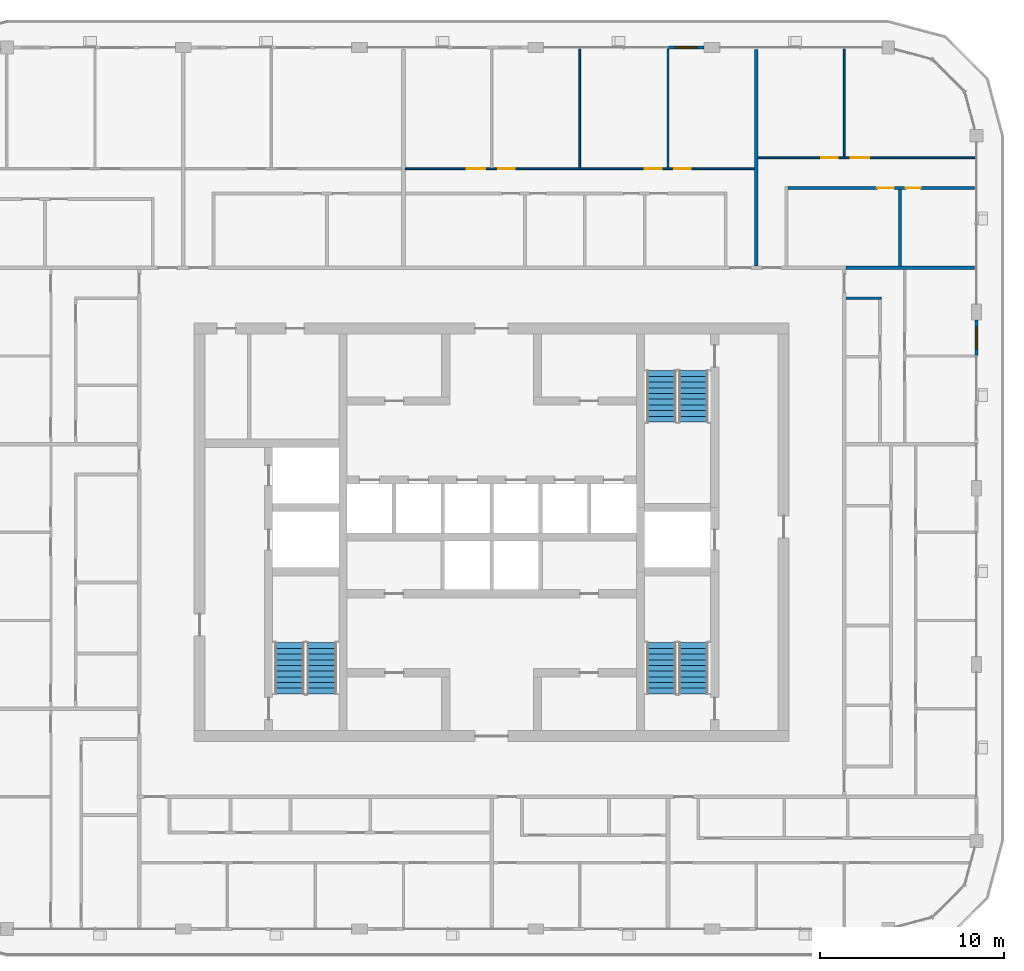
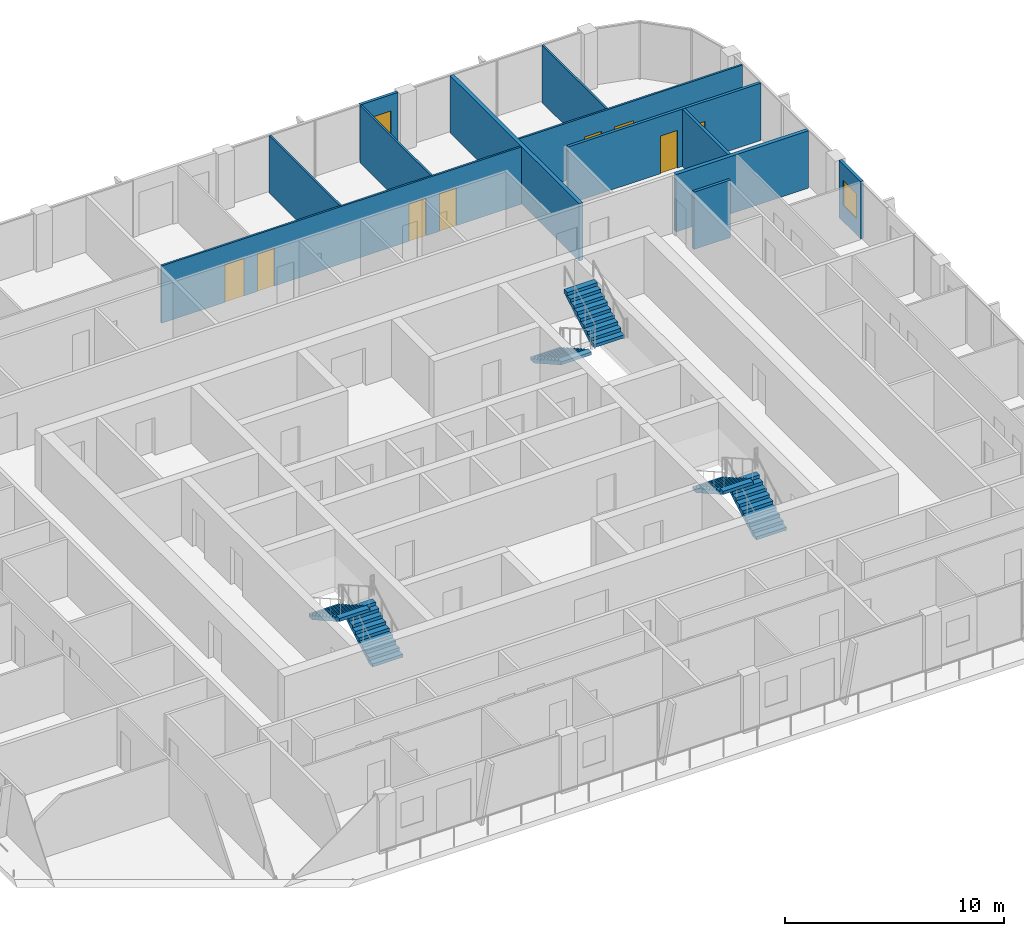
# One storey, part 15 of 21: 12 walls, 8 doors, 6 stair flights, 2 windows, 10 openings, 3 elements without a shape of their own.
"""IFC4 building model written with IfcOpenShell, lengths in metres."""

from ifc_helpers import new_model, si_unit, direction, frame, frame_2d, origin, place, context, subcontext, project, spatial, polyline, rectangle, outline, extrude, material, layer, layer_set, type_object, element, fill, aggregate, save


model = new_model("IFC4")

# Units and contexts
model_context = context("Model", 3, precision=1e-05, world=origin(), true_north=direction((0.0, 1.0)))
body_context = subcontext(model_context, "Body", "Model", "MODEL_VIEW")
ifc_project = project(units=[si_unit("LENGTHUNIT", "METRE"), si_unit("AREAUNIT", "SQUARE_METRE"), si_unit("VOLUMEUNIT", "CUBIC_METRE"), si_unit("PLANEANGLEUNIT", "RADIAN"), si_unit("MASSUNIT", "GRAM", prefix="KILO")], contexts=[model_context])

# Site, building, storey
site_placement = place(None, origin())
site = spatial("IfcSite", under=ifc_project, at=site_placement, CompositionType="ELEMENT")
building_placement = place(site_placement, origin())
building = spatial("IfcBuilding", under=site, at=building_placement, Name="Madar Terraces", CompositionType="ELEMENT")
storey_placement = place(building_placement, frame((0.0, 0.0, 242.199951171875)))
storey = spatial("IfcBuildingStorey", under=building, at=storey_placement, Name="L63", CompositionType="ELEMENT", Elevation=242.199951171875)

# Wall, opening, window
ifc_material_1 = material(Name="Aluminium composite panel, black, over insulated backing", Category="aluminium")
ifc_layer_1 = layer(ifc_material_1, 0.14990234375)
ifc_layer_set_1 = layer_set([ifc_layer_1], Name="Facade bay panel 150")
wall_type_1 = type_object("IfcWallType", Name="Facade bay panel 150", PredefinedType="SOLIDWALL", material=ifc_layer_set_1)
wall_1_placement = place(storey_placement, frame((57.60009765625, 36.0, 0.0), z_axis=(0.0, 0.0, 1.0), x_axis=(0.0, 1.0, 0.0)))
wall_1 = element("IfcWall", 1, at=wall_1_placement, inside=storey, type_object=wall_type_1, Name="Facade bay panel", PredefinedType="SOLIDWALL", context=body_context, shape_type="SweptSolid", body=[
    extrude(rectangle(XDim=1.97509765625, YDim=0.14990234375, at=frame_2d((0.987548828125, 0.0))), origin(), (0.0, 0.0, 1.0), 3.199951171875),
])
opening_1_placement = place(wall_1_placement, frame((0.387451171875, 0.0, 0.89990234375)))
opening_1 = element("IfcOpeningElement", 2, at=opening_1_placement, cuts=wall_1, Name="Opening W1", PredefinedType="OPENING", context=body_context, shape_type="SweptSolid", body=[
    extrude(rectangle(XDim=1.199951171875, YDim=1.39990234375, at=frame_2d((0.60009765625, 0.699951171875))), frame((0.0, 0.0849609375, 0.0), z_axis=(0.0, -1.0, 0.0), x_axis=(1.0, 0.0, 0.0)), (0.0, 0.0, 1.0), 0.169921875),
])
ifc_material_2 = material(Name="Glass, clear, with black aluminium frame", Category="aluminium")
window_type = type_object("IfcWindowType", Name="Vent window 1200 x 1400", PartitioningType="SINGLE_PANEL", PredefinedType="WINDOW", material=ifc_material_2)
window_1_placement = place(opening_1_placement, origin())
window_1 = element("IfcWindow", 3, at=window_1_placement, inside=storey, type_object=window_type, Name="Operable vent window", OverallHeight=1.39990234375, OverallWidth=1.199951171875, PartitioningType="SINGLE_PANEL", PredefinedType="WINDOW", context=body_context, shape_type="SweptSolid", body=[
    extrude(rectangle(XDim=1.199951171875, YDim=1.39990234375, at=frame_2d((0.60009765625, 0.699951171875))), frame((0.0, 0.030029296875, 0.0), z_axis=(0.0, -1.0, 0.0), x_axis=(1.0, 0.0, 0.0)), (0.0, 0.0, 1.0), 0.06005859375),
])
fill(opening_1, window_1)

wall_2_placement = place(storey_placement, frame((42.77490234375, 52.800048828125, 0.0), z_axis=(0.0, 0.0, 1.0), x_axis=(-1.0, 0.0, 0.0)))
wall_2 = element("IfcWall", 4, at=wall_2_placement, inside=storey, type_object=wall_type_1, Name="Facade bay panel", PredefinedType="SOLIDWALL", context=body_context, shape_type="SweptSolid", body=[
    extrude(rectangle(XDim=1.974853515625, YDim=0.14990234375, at=frame_2d((0.9873046875, 0.0))), origin(), (0.0, 0.0, 1.0), 3.199951171875),
])
opening_2_placement = place(wall_2_placement, frame((0.387451171875, 0.0, 0.89990234375)))
opening_2 = element("IfcOpeningElement", 5, at=opening_2_placement, cuts=wall_2, Name="Opening W1", PredefinedType="OPENING", context=body_context, shape_type="SweptSolid", body=[
    extrude(rectangle(XDim=1.199951171875, YDim=1.39990234375, at=frame_2d((0.60009765625, 0.699951171875))), frame((0.0, 0.0849609375, 0.0), z_axis=(0.0, -1.0, 0.0), x_axis=(1.0, 0.0, 0.0)), (0.0, 0.0, 1.0), 0.169921875),
])
window_2_placement = place(opening_2_placement, origin())
window_2 = element("IfcWindow", 6, at=window_2_placement, inside=storey, type_object=window_type, Name="Operable vent window", OverallHeight=1.39990234375, OverallWidth=1.199951171875, PartitioningType="SINGLE_PANEL", PredefinedType="WINDOW", context=body_context, shape_type="SweptSolid", body=[
    extrude(rectangle(XDim=1.199951171875, YDim=1.39990234375, at=frame_2d((0.60009765625, 0.699951171875))), frame((0.0, 0.030029296875, 0.0), z_axis=(0.0, -1.0, 0.0), x_axis=(1.0, 0.0, 0.0)), (0.0, 0.0, 1.0), 0.06005859375),
])
fill(opening_2, window_2)

# Wall
ifc_material_3 = material(Name="Gypsum board on steel studs", Category="steel")
ifc_layer_2 = layer(ifc_material_3, 0.10009765625)
ifc_layer_set_2 = layer_set([ifc_layer_2], Name="Flat partition 100")
wall_type_2 = type_object("IfcWallType", Name="Flat partition 100", PredefinedType="PARTITIONING", material=ifc_layer_set_2)
wall_3_placement = place(storey_placement, frame((50.39990234375, 46.85009765625, 0.0), z_axis=(0.0, 0.0, 1.0), x_axis=(0.0, 1.0, 0.0)))
element("IfcWall", 7, at=wall_3_placement, inside=storey, type_object=wall_type_2, Name="Flat partition 100", PredefinedType="PARTITIONING", context=body_context, shape_type="SweptSolid", body=[
    extrude(rectangle(XDim=5.849853515625, YDim=0.10009765625, at=frame_2d((2.9248046875, 0.0))), origin(), (0.0, 0.0, 1.0), 3.199951171875),
])

# Wall, openings, doors
wall_4_placement = place(storey_placement, frame((45.699951171875, 46.800048828125, 0.0), z_axis=(0.0, 0.0, 1.0), x_axis=(1.0, 0.0, 0.0)))
wall_4 = element("IfcWall", 8, at=wall_4_placement, inside=storey, type_object=wall_type_2, Name="Flat partition 100", PredefinedType="PARTITIONING", context=body_context, shape_type="SweptSolid", body=[
    extrude(rectangle(XDim=11.800048828125, YDim=0.10009765625, at=frame_2d((5.89990234375, 0.0))), origin(), (0.0, 0.0, 1.0), 3.199951171875),
])
opening_3_placement = place(wall_4_placement, frame((3.449951171875, 0.0, 0.0)))
opening_3 = element("IfcOpeningElement", 9, at=opening_3_placement, cuts=wall_4, Name="Opening D2", PredefinedType="OPENING", context=body_context, shape_type="SweptSolid", body=[
    extrude(rectangle(XDim=0.89990234375, YDim=2.10009765625, at=frame_2d((0.449951171875, 1.050048828125))), frame((0.0, 0.06005859375, 0.0), z_axis=(0.0, -1.0, 0.0), x_axis=(1.0, 0.0, 0.0)), (0.0, 0.0, 1.0), 0.1201171875),
])
opening_4_placement = place(wall_4_placement, frame((5.050048828125, 0.0, 0.0)))
opening_4 = element("IfcOpeningElement", 10, at=opening_4_placement, cuts=wall_4, Name="Opening D3", PredefinedType="OPENING", context=body_context, shape_type="SweptSolid", body=[
    extrude(rectangle(XDim=1.0, YDim=2.10009765625, at=frame_2d((0.5, 1.050048828125))), frame((0.0, 0.06005859375, 0.0), z_axis=(0.0, -1.0, 0.0), x_axis=(1.0, 0.0, 0.0)), (0.0, 0.0, 1.0), 0.1201171875),
])
ifc_material_4 = material(Name="Timber door leaf", Category="wood")
door_type_1 = type_object("IfcDoorType", Name="Flat living room door 1000", OperationType="NOTDEFINED", PredefinedType="DOOR", material=ifc_material_4)
door_1_placement = place(opening_4_placement, origin())
door_1 = element("IfcDoor", 11, at=door_1_placement, inside=storey, type_object=door_type_1, Name="Flat living room door 1000", OperationType="SINGLE_SWING_LEFT", OverallHeight=2.10009765625, OverallWidth=1.0, PredefinedType="DOOR", context=body_context, shape_type="SweptSolid", body=[
    extrude(rectangle(XDim=1.0, YDim=2.10009765625, at=frame_2d((0.5, 1.050048828125))), frame((0.0, 0.02490234375, 0.0), z_axis=(0.0, -1.0, 0.0), x_axis=(1.0, 0.0, 0.0)), (0.0, 0.0, 1.0), 0.050048828125),
])
fill(opening_4, door_1)
ifc_material_5 = material(Name="Timber door leaf", Category="wood")
door_type_2 = type_object("IfcDoorType", Name="Flat room door 900", OperationType="NOTDEFINED", PredefinedType="DOOR", material=ifc_material_5)
door_2_placement = place(opening_3_placement, origin())
door_2 = element("IfcDoor", 12, at=door_2_placement, inside=storey, type_object=door_type_2, Name="Flat room door 900", OperationType="SINGLE_SWING_RIGHT", OverallHeight=2.10009765625, OverallWidth=0.89990234375, PredefinedType="DOOR", context=body_context, shape_type="SweptSolid", body=[
    extrude(rectangle(XDim=0.89990234375, YDim=2.10009765625, at=frame_2d((0.449951171875, 1.050048828125))), frame((0.0, 0.02490234375, 0.0), z_axis=(0.0, -1.0, 0.0), x_axis=(1.0, 0.0, 0.0)), (0.0, 0.0, 1.0), 0.050048828125),
])
fill(opening_3, door_2)

# Walls
for number, where, z_axis, x_axis, name in (
    (13, (40.800048828125, 46.25, 0.0), (0.0, 0.0, 1.0), (0.0, 1.0, 0.0), "Flat partition 100"),
    (14, (36.0, 46.25, 0.0), (0.0, 0.0, 1.0), (0.0, 1.0, 0.0), "Flat partition 100"),
):
    element("IfcWall", number, at=place(storey_placement, frame(where, z_axis=z_axis, x_axis=x_axis)), inside=storey, type_object=wall_type_2, Name=name, PredefinedType="PARTITIONING", context=body_context, shape_type="SweptSolid", body=[
        extrude(rectangle(XDim=6.449951171875, YDim=0.10009765625, at=frame_2d((3.22509765625, 0.0))), origin(), (0.0, 0.0, 1.0), 3.199951171875),
    ])

# Wall, openings, doors
wall_5_placement = place(storey_placement, frame((26.5, 46.199951171875, 0.0), z_axis=(0.0, 0.0, 1.0), x_axis=(1.0, 0.0, 0.0)))
wall_5 = element("IfcWall", 15, at=wall_5_placement, inside=storey, type_object=wall_type_2, Name="Flat partition 100", PredefinedType="PARTITIONING", context=body_context, shape_type="SweptSolid", body=[
    extrude(rectangle(XDim=19.0, YDim=0.10009765625, at=frame_2d((9.5, 0.0))), origin(), (0.0, 0.0, 1.0), 3.199951171875),
])
opening_5_placement = place(wall_5_placement, frame((14.64990234375, 0.0, 0.0)))
opening_5 = element("IfcOpeningElement", 16, at=opening_5_placement, cuts=wall_5, Name="Opening D2", PredefinedType="OPENING", context=body_context, shape_type="SweptSolid", body=[
    extrude(rectangle(XDim=0.89990234375, YDim=2.10009765625, at=frame_2d((0.449951171875, 1.050048828125))), frame((0.0, 0.06005859375, 0.0), z_axis=(0.0, -1.0, 0.0), x_axis=(1.0, 0.0, 0.0)), (0.0, 0.0, 1.0), 0.1201171875),
])
opening_6_placement = place(wall_5_placement, frame((13.050048828125, 0.0, 0.0)))
opening_6 = element("IfcOpeningElement", 17, at=opening_6_placement, cuts=wall_5, Name="Opening D2", PredefinedType="OPENING", context=body_context, shape_type="SweptSolid", body=[
    extrude(rectangle(XDim=0.89990234375, YDim=2.10009765625, at=frame_2d((0.449951171875, 1.050048828125))), frame((0.0, 0.06005859375, 0.0), z_axis=(0.0, -1.0, 0.0), x_axis=(1.0, 0.0, 0.0)), (0.0, 0.0, 1.0), 0.1201171875),
])
opening_7_placement = place(wall_5_placement, frame((5.050048828125, 0.0, 0.0)))
opening_7 = element("IfcOpeningElement", 18, at=opening_7_placement, cuts=wall_5, Name="Opening D2", PredefinedType="OPENING", context=body_context, shape_type="SweptSolid", body=[
    extrude(rectangle(XDim=0.89990234375, YDim=2.10009765625, at=frame_2d((0.449951171875, 1.050048828125))), frame((0.0, 0.06005859375, 0.0), z_axis=(0.0, -1.0, 0.0), x_axis=(1.0, 0.0, 0.0)), (0.0, 0.0, 1.0), 0.1201171875),
])
opening_8_placement = place(wall_5_placement, frame((3.35009765625, 0.0, 0.0)))
opening_8 = element("IfcOpeningElement", 19, at=opening_8_placement, cuts=wall_5, Name="Opening D3", PredefinedType="OPENING", context=body_context, shape_type="SweptSolid", body=[
    extrude(rectangle(XDim=1.0, YDim=2.10009765625, at=frame_2d((0.5, 1.050048828125))), frame((0.0, 0.06005859375, 0.0), z_axis=(0.0, -1.0, 0.0), x_axis=(1.0, 0.0, 0.0)), (0.0, 0.0, 1.0), 0.1201171875),
])
door_3_placement = place(opening_8_placement, origin())
door_3 = element("IfcDoor", 20, at=door_3_placement, inside=storey, type_object=door_type_1, Name="Flat living room door 1000", OperationType="SINGLE_SWING_RIGHT", OverallHeight=2.10009765625, OverallWidth=1.0, PredefinedType="DOOR", context=body_context, shape_type="SweptSolid", body=[
    extrude(rectangle(XDim=1.0, YDim=2.10009765625, at=frame_2d((0.5, 1.050048828125))), frame((0.0, 0.02490234375, 0.0), z_axis=(0.0, -1.0, 0.0), x_axis=(1.0, 0.0, 0.0)), (0.0, 0.0, 1.0), 0.050048828125),
])
fill(opening_8, door_3)
door_4_placement = place(opening_5_placement, origin())
door_4 = element("IfcDoor", 21, at=door_4_placement, inside=storey, type_object=door_type_2, Name="Flat room door 900", OperationType="SINGLE_SWING_LEFT", OverallHeight=2.10009765625, OverallWidth=0.89990234375, PredefinedType="DOOR", context=body_context, shape_type="SweptSolid", body=[
    extrude(rectangle(XDim=0.89990234375, YDim=2.10009765625, at=frame_2d((0.449951171875, 1.050048828125))), frame((0.0, 0.02490234375, 0.0), z_axis=(0.0, -1.0, 0.0), x_axis=(1.0, 0.0, 0.0)), (0.0, 0.0, 1.0), 0.050048828125),
])
fill(opening_5, door_4)
door_5_placement = place(opening_6_placement, origin())
door_5 = element("IfcDoor", 22, at=door_5_placement, inside=storey, type_object=door_type_2, Name="Flat room door 900", OperationType="SINGLE_SWING_RIGHT", OverallHeight=2.10009765625, OverallWidth=0.89990234375, PredefinedType="DOOR", context=body_context, shape_type="SweptSolid", body=[
    extrude(rectangle(XDim=0.89990234375, YDim=2.10009765625, at=frame_2d((0.449951171875, 1.050048828125))), frame((0.0, 0.02490234375, 0.0), z_axis=(0.0, -1.0, 0.0), x_axis=(1.0, 0.0, 0.0)), (0.0, 0.0, 1.0), 0.050048828125),
])
fill(opening_6, door_5)
door_6_placement = place(opening_7_placement, origin())
door_6 = element("IfcDoor", 23, at=door_6_placement, inside=storey, type_object=door_type_2, Name="Flat room door 900", OperationType="SINGLE_SWING_LEFT", OverallHeight=2.10009765625, OverallWidth=0.89990234375, PredefinedType="DOOR", context=body_context, shape_type="SweptSolid", body=[
    extrude(rectangle(XDim=0.89990234375, YDim=2.10009765625, at=frame_2d((0.449951171875, 1.050048828125))), frame((0.0, 0.02490234375, 0.0), z_axis=(0.0, -1.0, 0.0), x_axis=(1.0, 0.0, 0.0)), (0.0, 0.0, 1.0), 0.050048828125),
])
fill(opening_7, door_6)

# Walls
ifc_material_6 = material(Name="Lightweight blockwork", Category="masonry")
ifc_layer_3 = layer(ifc_material_6, 0.199951171875)
ifc_layer_set_3 = layer_set([ifc_layer_3], Name="Flat party and entrance wall 200")
wall_type_3 = type_object("IfcWallType", Name="Flat party and entrance wall 200", PredefinedType="PARTITIONING", material=ifc_layer_set_3)
wall_6_placement = place(storey_placement, frame((50.5, 40.800048828125, 0.0), z_axis=(0.0, 0.0, 1.0), x_axis=(1.0, 0.0, 0.0)))
element("IfcWall", 24, at=wall_6_placement, inside=storey, type_object=wall_type_3, Name="Flat party and entrance wall 200", PredefinedType="PARTITIONING", context=body_context, shape_type="SweptSolid", body=[
    extrude(rectangle(XDim=7.0, YDim=0.199951171875, at=frame_2d((3.5, 0.0))), origin(), (0.0, 0.0, 1.0), 3.199951171875),
])
wall_7_placement = place(storey_placement, frame((45.60009765625, 52.699951171875, 0.0), z_axis=(0.0, 0.0, 1.0), x_axis=(0.0, -1.0, 0.0)))
element("IfcWall", 25, at=wall_7_placement, inside=storey, type_object=wall_type_3, Name="Flat party and entrance wall 200", PredefinedType="PARTITIONING", context=body_context, shape_type="SweptSolid", body=[
    extrude(rectangle(XDim=11.800048828125, YDim=0.199951171875, at=frame_2d((5.89990234375, 0.0))), origin(), (0.0, 0.0, 1.0), 3.199951171875),
])
ifc_material_7 = material(Name="Lightweight blockwork", Category="masonry")
ifc_layer_4 = layer(ifc_material_7, 0.14990234375)
ifc_layer_set_4 = layer_set([ifc_layer_4], Name="Flat wet-room partition 150")
wall_type_4 = type_object("IfcWallType", Name="Flat wet-room partition 150", PredefinedType="PARTITIONING", material=ifc_layer_set_4)
wall_8_placement = place(storey_placement, frame((50.5, 39.14990234375, 0.0), z_axis=(0.0, 0.0, 1.0), x_axis=(1.0, 0.0, 0.0)))
element("IfcWall", 26, at=wall_8_placement, inside=storey, type_object=wall_type_4, Name="Flat wet-room partition 150", PredefinedType="PARTITIONING", context=body_context, shape_type="SweptSolid", body=[
    extrude(rectangle(XDim=1.925048828125, YDim=0.14990234375, at=frame_2d((0.96240234375, 0.0))), origin(), (0.0, 0.0, 1.0), 3.199951171875),
])
wall_9_placement = place(storey_placement, frame((53.429931640625, 40.89990234375, 0.0), z_axis=(0.0, 0.0, 1.0), x_axis=(0.0, 1.0, 0.0)))
element("IfcWall", 27, at=wall_9_placement, inside=storey, type_object=wall_type_4, Name="Flat wet-room partition 150", PredefinedType="PARTITIONING", context=body_context, shape_type="SweptSolid", body=[
    extrude(rectangle(XDim=4.175048828125, YDim=0.14990234375, at=frame_2d((2.08740234375, 0.0))), origin(), (0.0, 0.0, 1.0), 3.199951171875),
])

# Wall, openings, doors
wall_10_placement = place(storey_placement, frame((57.5, 45.14990234375, 0.0), z_axis=(0.0, 0.0, 1.0), x_axis=(-1.0, 0.0, 0.0)))
wall_10 = element("IfcWall", 28, at=wall_10_placement, inside=storey, type_object=wall_type_4, Name="Flat wet-room partition 150", PredefinedType="PARTITIONING", context=body_context, shape_type="SweptSolid", body=[
    extrude(rectangle(XDim=10.175048828125, YDim=0.14990234375, at=frame_2d((5.08740234375, 0.0))), origin(), (0.0, 0.0, 1.0), 3.199951171875),
])
opening_9_placement = place(wall_10_placement, frame((4.39501953125, 0.0, 0.0)))
opening_9 = element("IfcOpeningElement", 29, at=opening_9_placement, cuts=wall_10, Name="Opening D2", PredefinedType="OPENING", context=body_context, shape_type="SweptSolid", body=[
    extrude(rectangle(XDim=0.89990234375, YDim=2.10009765625, at=frame_2d((0.449951171875, 1.050048828125))), frame((0.0, 0.0849609375, 0.0), z_axis=(0.0, -1.0, 0.0), x_axis=(1.0, 0.0, 0.0)), (0.0, 0.0, 1.0), 0.169921875),
])
opening_10_placement = place(wall_10_placement, frame((2.945068359375, 0.0, 0.0)))
opening_10 = element("IfcOpeningElement", 30, at=opening_10_placement, cuts=wall_10, Name="Opening D4", PredefinedType="OPENING", context=body_context, shape_type="SweptSolid", body=[
    extrude(rectangle(XDim=0.800048828125, YDim=2.10009765625, at=frame_2d((0.39990234375, 1.050048828125))), frame((0.0, 0.0849609375, 0.0), z_axis=(0.0, -1.0, 0.0), x_axis=(1.0, 0.0, 0.0)), (0.0, 0.0, 1.0), 0.169921875),
])
ifc_material_8 = material(Name="Timber door leaf", Category="wood")
door_type_3 = type_object("IfcDoorType", Name="Flat bathroom door 800", OperationType="NOTDEFINED", PredefinedType="DOOR", material=ifc_material_8)
door_7_placement = place(opening_10_placement, origin())
door_7 = element("IfcDoor", 31, at=door_7_placement, inside=storey, type_object=door_type_3, Name="Flat bathroom door 800", OperationType="SINGLE_SWING_RIGHT", OverallHeight=2.10009765625, OverallWidth=0.800048828125, PredefinedType="DOOR", context=body_context, shape_type="SweptSolid", body=[
    extrude(rectangle(XDim=0.800048828125, YDim=2.10009765625, at=frame_2d((0.39990234375, 1.050048828125))), frame((0.0, 0.02490234375, 0.0), z_axis=(0.0, -1.0, 0.0), x_axis=(1.0, 0.0, 0.0)), (0.0, 0.0, 1.0), 0.050048828125),
])
fill(opening_10, door_7)
door_8_placement = place(opening_9_placement, origin())
door_8 = element("IfcDoor", 32, at=door_8_placement, inside=storey, type_object=door_type_2, Name="Flat room door 900", OperationType="SINGLE_SWING_LEFT", OverallHeight=2.10009765625, OverallWidth=0.89990234375, PredefinedType="DOOR", context=body_context, shape_type="SweptSolid", body=[
    extrude(rectangle(XDim=0.89990234375, YDim=2.10009765625, at=frame_2d((0.449951171875, 1.050048828125))), frame((0.0, 0.02490234375, 0.0), z_axis=(0.0, -1.0, 0.0), x_axis=(1.0, 0.0, 0.0)), (0.0, 0.0, 1.0), 0.050048828125),
])
fill(opening_9, door_8)

# Stair, stair flights
ifc_material_9 = material(Name="Concrete C50/60", Category="concrete")
stair_type_1 = type_object("IfcStairType", Name="Stair ST1 protected exit", PredefinedType="HALF_TURN_STAIR", material=ifc_material_9)
stair_1_placement = place(storey_placement, origin())
stair_1 = element("IfcStair", 33, at=stair_1_placement, inside=storey, type_object=stair_type_1, Name="L63 Protected Exit Stair ST1", PredefinedType="HALF_TURN_STAIR")
ifc_material_10 = material(Name="Concrete C50/60", Category="concrete")
stair_flight_type_1 = type_object("IfcStairFlightType", Name="Stair flight ST1-F4, 1600 wide, 10 risers", PredefinedType="STRAIGHT", material=ifc_material_10)
stair_flight_1_placement = place(storey_placement, frame((21.949951171875, 17.60009765625, 0.0), z_axis=(0.0, 0.0, 1.0), x_axis=(0.0, 1.0, 0.0)))
stair_flight_1 = element("IfcStairFlight", 34, at=stair_flight_1_placement, type_object=stair_flight_type_1, Name="ST1 flight 1", NumberOfRisers=10, NumberOfTreads=9, PredefinedType="STRAIGHT", RiserHeight=0.175, TreadLength=0.31, context=body_context, shape_type="SweptSolid", body=[
    extrude(outline(polyline([(0.0, 0.0), (0.0, 0.175048828125), (0.31005859375, 0.175048828125), (0.31005859375, 0.35009765625), (0.6201171875, 0.35009765625), (0.6201171875, 0.52490234375), (0.929931640625, 0.52490234375), (0.929931640625, 0.699951171875), (1.239990234375, 0.699951171875), (1.239990234375, 0.875), (1.550048828125, 0.875), (1.550048828125, 1.050048828125), (1.860107421875, 1.050048828125), (1.860107421875, 1.22509765625), (2.169921875, 1.22509765625), (2.169921875, 1.39990234375), (2.47998046875, 1.39990234375), (2.47998046875, 1.574951171875), (2.7900390625, 1.574951171875), (2.7900390625, 1.75), (2.7900390625, 1.40283203125), (0.304931640625, 0.0), (0.0, 0.0)])), frame((0.0, 0.800048828125, 0.0), z_axis=(0.0, -1.0, 0.0), x_axis=(1.0, 0.0, 0.0)), (0.0, 0.0, 1.0), 1.60009765625),
])
stair_flight_2_placement = place(storey_placement, frame((20.199951171875, 20.389892578125, 1.75), z_axis=(0.0, 0.0, 1.0), x_axis=(0.0, -1.0, 0.0)))
stair_flight_2 = element("IfcStairFlight", 35, at=stair_flight_2_placement, type_object=stair_flight_type_1, Name="ST1 flight 2", NumberOfRisers=10, NumberOfTreads=9, PredefinedType="STRAIGHT", RiserHeight=0.175, TreadLength=0.31, context=body_context, shape_type="SweptSolid", body=[
    extrude(outline(polyline([(0.0, 0.0), (0.0, 0.175048828125), (0.31005859375, 0.175048828125), (0.31005859375, 0.35009765625), (0.6201171875, 0.35009765625), (0.6201171875, 0.52490234375), (0.929931640625, 0.52490234375), (0.929931640625, 0.699951171875), (1.239990234375, 0.699951171875), (1.239990234375, 0.875), (1.550048828125, 0.875), (1.550048828125, 1.050048828125), (1.860107421875, 1.050048828125), (1.860107421875, 1.22509765625), (2.169921875, 1.22509765625), (2.169921875, 1.39990234375), (2.47998046875, 1.39990234375), (2.47998046875, 1.574951171875), (2.7900390625, 1.574951171875), (2.7900390625, 1.75), (2.7900390625, 1.40283203125), (0.304931640625, 0.0), (0.0, 0.0)])), frame((0.0, 0.800048828125, 0.0), z_axis=(0.0, -1.0, 0.0), x_axis=(1.0, 0.0, 0.0)), (0.0, 0.0, 1.0), 1.60009765625),
])
aggregate(stair_1, [stair_flight_1, stair_flight_2])

ifc_material_11 = material(Name="Concrete C50/60", Category="concrete")
stair_type_2 = type_object("IfcStairType", Name="Stair ST2 protected exit", PredefinedType="HALF_TURN_STAIR", material=ifc_material_11)
stair_2_placement = place(storey_placement, origin())
stair_2 = element("IfcStair", 36, at=stair_2_placement, inside=storey, type_object=stair_type_2, Name="L63 Protected Exit Stair ST2", PredefinedType="HALF_TURN_STAIR")
ifc_material_12 = material(Name="Concrete C50/60", Category="concrete")
stair_flight_type_2 = type_object("IfcStairFlightType", Name="Stair flight ST2-F4, 1600 wide, 10 risers", PredefinedType="STRAIGHT", material=ifc_material_12)
stair_flight_3_placement = place(storey_placement, frame((40.449951171875, 35.199951171875, 0.0), z_axis=(0.0, 0.0, 1.0), x_axis=(0.0, -1.0, 0.0)))
stair_flight_3 = element("IfcStairFlight", 37, at=stair_flight_3_placement, type_object=stair_flight_type_2, Name="ST2 flight 1", NumberOfRisers=10, NumberOfTreads=9, PredefinedType="STRAIGHT", RiserHeight=0.175, TreadLength=0.31, context=body_context, shape_type="SweptSolid", body=[
    extrude(outline(polyline([(0.0, 0.0), (0.0, 0.175048828125), (0.31005859375, 0.175048828125), (0.31005859375, 0.35009765625), (0.6201171875, 0.35009765625), (0.6201171875, 0.52490234375), (0.929931640625, 0.52490234375), (0.929931640625, 0.699951171875), (1.239990234375, 0.699951171875), (1.239990234375, 0.875), (1.550048828125, 0.875), (1.550048828125, 1.050048828125), (1.860107421875, 1.050048828125), (1.860107421875, 1.22509765625), (2.169921875, 1.22509765625), (2.169921875, 1.39990234375), (2.47998046875, 1.39990234375), (2.47998046875, 1.574951171875), (2.7900390625, 1.574951171875), (2.7900390625, 1.75), (2.7900390625, 1.40283203125), (0.304931640625, 0.0), (0.0, 0.0)])), frame((0.0, 0.800048828125, 0.0), z_axis=(0.0, -1.0, 0.0), x_axis=(1.0, 0.0, 0.0)), (0.0, 0.0, 1.0), 1.60009765625),
])
stair_flight_4_placement = place(storey_placement, frame((42.199951171875, 32.409912109375, 1.75), z_axis=(0.0, 0.0, 1.0), x_axis=(0.0, 1.0, 0.0)))
stair_flight_4 = element("IfcStairFlight", 38, at=stair_flight_4_placement, type_object=stair_flight_type_2, Name="ST2 flight 2", NumberOfRisers=10, NumberOfTreads=9, PredefinedType="STRAIGHT", RiserHeight=0.175, TreadLength=0.31, context=body_context, shape_type="SweptSolid", body=[
    extrude(outline(polyline([(0.0, 0.0), (0.0, 0.175048828125), (0.31005859375, 0.175048828125), (0.31005859375, 0.35009765625), (0.6201171875, 0.35009765625), (0.6201171875, 0.52490234375), (0.929931640625, 0.52490234375), (0.929931640625, 0.699951171875), (1.239990234375, 0.699951171875), (1.239990234375, 0.875), (1.550048828125, 0.875), (1.550048828125, 1.050048828125), (1.860107421875, 1.050048828125), (1.860107421875, 1.22509765625), (2.169921875, 1.22509765625), (2.169921875, 1.39990234375), (2.47998046875, 1.39990234375), (2.47998046875, 1.574951171875), (2.7900390625, 1.574951171875), (2.7900390625, 1.75), (2.7900390625, 1.40283203125), (0.304931640625, 0.0), (0.0, 0.0)])), frame((0.0, 0.800048828125, 0.0), z_axis=(0.0, -1.0, 0.0), x_axis=(1.0, 0.0, 0.0)), (0.0, 0.0, 1.0), 1.60009765625),
])
aggregate(stair_2, [stair_flight_3, stair_flight_4])

ifc_material_13 = material(Name="Concrete C50/60", Category="concrete")
stair_type_3 = type_object("IfcStairType", Name="Stair ST3 protected exit", PredefinedType="HALF_TURN_STAIR", material=ifc_material_13)
stair_3_placement = place(storey_placement, origin())
stair_3 = element("IfcStair", 39, at=stair_3_placement, inside=storey, type_object=stair_type_3, Name="L63 Protected Exit Stair ST3", PredefinedType="HALF_TURN_STAIR")
ifc_material_14 = material(Name="Concrete C50/60", Category="concrete")
stair_flight_type_3 = type_object("IfcStairFlightType", Name="Stair flight ST3-F4, 1600 wide, 10 risers", PredefinedType="STRAIGHT", material=ifc_material_14)
stair_flight_5_placement = place(storey_placement, frame((42.199951171875, 17.60009765625, 0.0), z_axis=(0.0, 0.0, 1.0), x_axis=(0.0, 1.0, 0.0)))
stair_flight_5 = element("IfcStairFlight", 40, at=stair_flight_5_placement, type_object=stair_flight_type_3, Name="ST3 flight 1", NumberOfRisers=10, NumberOfTreads=9, PredefinedType="STRAIGHT", RiserHeight=0.175, TreadLength=0.31, context=body_context, shape_type="SweptSolid", body=[
    extrude(outline(polyline([(0.0, 0.0), (0.0, 0.175048828125), (0.31005859375, 0.175048828125), (0.31005859375, 0.35009765625), (0.6201171875, 0.35009765625), (0.6201171875, 0.52490234375), (0.929931640625, 0.52490234375), (0.929931640625, 0.699951171875), (1.239990234375, 0.699951171875), (1.239990234375, 0.875), (1.550048828125, 0.875), (1.550048828125, 1.050048828125), (1.860107421875, 1.050048828125), (1.860107421875, 1.22509765625), (2.169921875, 1.22509765625), (2.169921875, 1.39990234375), (2.47998046875, 1.39990234375), (2.47998046875, 1.574951171875), (2.7900390625, 1.574951171875), (2.7900390625, 1.75), (2.7900390625, 1.40283203125), (0.304931640625, 0.0), (0.0, 0.0)])), frame((0.0, 0.800048828125, 0.0), z_axis=(0.0, -1.0, 0.0), x_axis=(1.0, 0.0, 0.0)), (0.0, 0.0, 1.0), 1.60009765625),
])
stair_flight_6_placement = place(storey_placement, frame((40.449951171875, 20.389892578125, 1.75), z_axis=(0.0, 0.0, 1.0), x_axis=(0.0, -1.0, 0.0)))
stair_flight_6 = element("IfcStairFlight", 41, at=stair_flight_6_placement, type_object=stair_flight_type_3, Name="ST3 flight 2", NumberOfRisers=10, NumberOfTreads=9, PredefinedType="STRAIGHT", RiserHeight=0.175, TreadLength=0.31, context=body_context, shape_type="SweptSolid", body=[
    extrude(outline(polyline([(0.0, 0.0), (0.0, 0.175048828125), (0.31005859375, 0.175048828125), (0.31005859375, 0.35009765625), (0.6201171875, 0.35009765625), (0.6201171875, 0.52490234375), (0.929931640625, 0.52490234375), (0.929931640625, 0.699951171875), (1.239990234375, 0.699951171875), (1.239990234375, 0.875), (1.550048828125, 0.875), (1.550048828125, 1.050048828125), (1.860107421875, 1.050048828125), (1.860107421875, 1.22509765625), (2.169921875, 1.22509765625), (2.169921875, 1.39990234375), (2.47998046875, 1.39990234375), (2.47998046875, 1.574951171875), (2.7900390625, 1.574951171875), (2.7900390625, 1.75), (2.7900390625, 1.40283203125), (0.304931640625, 0.0), (0.0, 0.0)])), frame((0.0, 0.800048828125, 0.0), z_axis=(0.0, -1.0, 0.0), x_axis=(1.0, 0.0, 0.0)), (0.0, 0.0, 1.0), 1.60009765625),
])
aggregate(stair_3, [stair_flight_5, stair_flight_6])

save(model, "model.ifc")
